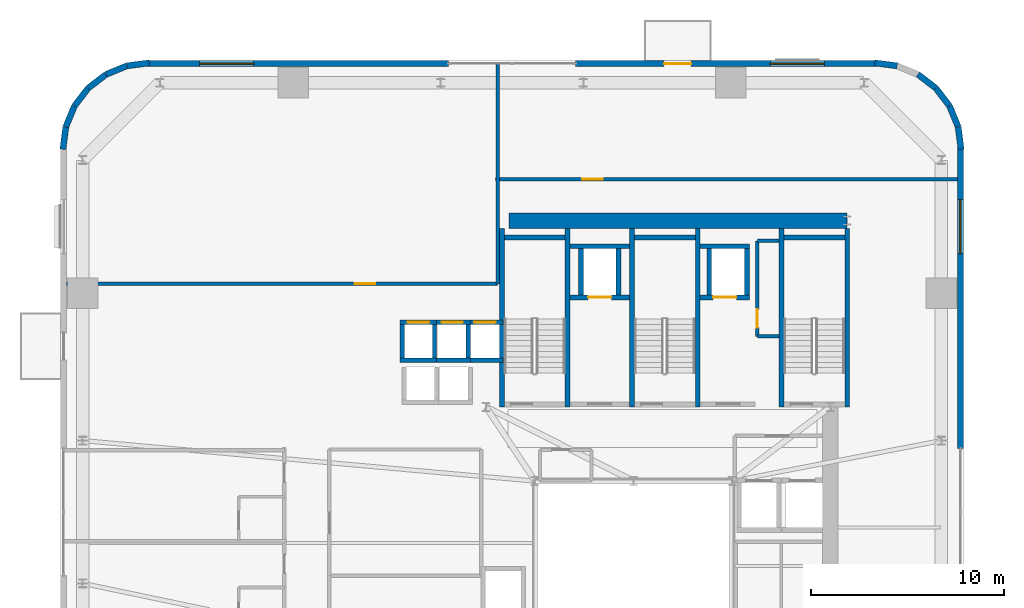
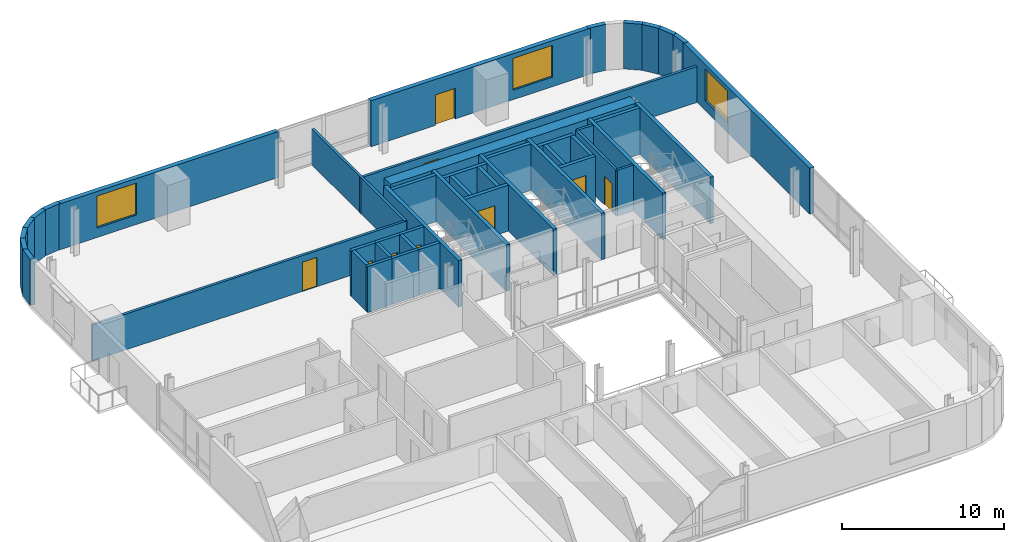
# One storey, part 8 of 14: 47 walls, 9 doors, 3 windows, 12 openings.
"""IFC4 building model written with IfcOpenShell, lengths in metres."""

from ifc_helpers import new_model, si_unit, direction, frame, frame_2d, origin, place, context, subcontext, project, spatial, rectangle, extrude, source, transform, mapped, material, layer, layer_set, type_object, element, fill, save


model = new_model("IFC4")

# Units and contexts
model_context = context("Model", 3, precision=1e-05, world=origin(), true_north=direction((0.0, 1.0)))
body_context = subcontext(model_context, "Body", "Model", "MODEL_VIEW")
ifc_project = project(units=[si_unit("LENGTHUNIT", "METRE"), si_unit("AREAUNIT", "SQUARE_METRE"), si_unit("VOLUMEUNIT", "CUBIC_METRE"), si_unit("PLANEANGLEUNIT", "RADIAN"), si_unit("MASSUNIT", "GRAM", prefix="KILO")], contexts=[model_context])

# Site, building, storey
site_placement = place(None, origin())
site = spatial("IfcSite", under=ifc_project, at=site_placement, CompositionType="ELEMENT")
building_placement = place(site_placement, origin())
building = spatial("IfcBuilding", under=site, at=building_placement, Name="Vardaveli Station Tower", CompositionType="ELEMENT")
storey_placement = place(building_placement, frame((0.0, 0.0, 133.5)))
storey = spatial("IfcBuildingStorey", under=building, at=storey_placement, Name="L34", CompositionType="ELEMENT", Elevation=133.5)

# Wall
ifc_material_1 = material(Name="Concrete C50/60", Category="concrete")
ifc_layer_1 = layer(ifc_material_1, 0.800048828125, Name="Concrete C50/60")
ifc_layer_set_1 = layer_set([ifc_layer_1], Name="Concrete C50/60")
wall_type_1 = type_object("IfcWallType", Name="WAL-CORE-800", PredefinedType="SHEAR", material=ifc_layer_set_1)
shared_shape_1 = source(origin(), body_context, "Body", "SweptSolid", [
    extrude(rectangle(XDim=17.52001953125, YDim=0.800048828125, at=frame_2d((8.760009765625, 0.0))), origin(), (0.0, 0.0, 1.0), 3.4599609375),
])
wall_1_placement = place(storey_placement, frame((29.85009765625, 40.300048828125, 0.0), z_axis=(0.0, 0.0, 1.0), x_axis=(1.0, 0.0, 0.0)))
element("IfcWall", 1, at=wall_1_placement, inside=storey, type_object=wall_type_1, Name="SW-L34-NORTH", PredefinedType="SHEAR", context=body_context, shape_type="MappedRepresentation", body=[
    mapped(shared_shape_1, transform((0.0, 0.0, 0.0), scale=1.0)),
])

# Wall, openings, door, window
ifc_material_2 = material(Name="Precast concrete C45/55", Category="concrete")
ifc_layer_2 = layer(ifc_material_2, 0.320068359375, Name="Precast concrete C45/55")
ifc_layer_set_2 = layer_set([ifc_layer_2], Name="Precast concrete C45/55")
wall_type_2 = type_object("IfcWallType", Name="WAL-EXT-STONE-320", PredefinedType="SOLIDWALL", material=ifc_layer_set_2)
shared_shape_2 = source(origin(), body_context, "Body", "SweptSolid", [
    extrude(rectangle(XDim=15.599853515625, YDim=0.320068359375, at=frame_2d((7.7998046875, 0.0))), origin(), (0.0, 0.0, 1.0), 3.4599609375),
])
wall_2_placement = place(storey_placement, frame((48.89990234375, 48.43994140625, 0.0), z_axis=(0.0, 0.0, 1.0), x_axis=(-1.0, 0.0, 0.0)))
wall_2 = element("IfcWall", 2, at=wall_2_placement, inside=storey, type_object=wall_type_2, Name="EW-L34-N1", PredefinedType="SOLIDWALL", context=body_context, shape_type="MappedRepresentation", body=[
    mapped(shared_shape_2, transform((0.0, 0.0, 0.0), scale=1.0)),
])
shared_shape_3 = source(origin(), body_context, "Body", "SweptSolid", [
    extrude(rectangle(XDim=1.39990234375, YDim=2.300048828125, at=frame_2d((0.699951171875, 1.14990234375))), frame((0.0, 0.169921875, 0.0), z_axis=(0.0, -1.0, 0.0), x_axis=(1.0, 0.0, 0.0)), (0.0, 0.0, 1.0), 0.340087890625),
])
opening_1_placement = place(wall_2_placement, frame((9.6103515625, 0.0, 0.0)))
opening_1 = element("IfcOpeningElement", 3, at=opening_1_placement, cuts=wall_2, Name="Opening D-09", PredefinedType="OPENING", context=body_context, shape_type="MappedRepresentation", body=[
    mapped(shared_shape_3, transform((0.0, 0.0, 0.0), scale=1.0)),
])
shared_shape_4 = source(origin(), body_context, "Body", "SweptSolid", [
    extrude(rectangle(XDim=2.800048828125, YDim=2.39990234375, at=frame_2d((1.39990234375, 1.199951171875))), frame((0.0, 0.169921875, 0.0), z_axis=(0.0, -1.0, 0.0), x_axis=(1.0, 0.0, 0.0)), (0.0, 0.0, 1.0), 0.340087890625),
])
opening_2_placement = place(wall_2_placement, frame((2.705078125, 0.0, 0.719970703125)))
opening_2 = element("IfcOpeningElement", 4, at=opening_2_placement, cuts=wall_2, Name="Opening W-04", PredefinedType="OPENING", context=body_context, shape_type="MappedRepresentation", body=[
    mapped(shared_shape_4, transform((0.0, 0.0, 0.0), scale=1.0)),
])
ifc_material_3 = material(Name="Thermally broken aluminium glass", Category="aluminium")
door_type_1 = type_object("IfcDoorType", Name="DR-LOG-1400x2300", OperationType="DOUBLE_DOOR_SLIDING", PredefinedType="DOOR", material=ifc_material_3)
shared_shape_5 = source(origin(), body_context, "Body", "SweptSolid", [
    extrude(rectangle(XDim=1.39990234375, YDim=2.300048828125, at=frame_2d((0.699951171875, 1.14990234375))), frame((0.0, 0.02490234375, 0.0), z_axis=(0.0, -1.0, 0.0), x_axis=(1.0, 0.0, 0.0)), (0.0, 0.0, 1.0), 0.050048828125),
])
door_1_placement = place(opening_1_placement, frame((1.39990234375, 0.0, 0.0), z_axis=(0.0, 0.0, 1.0), x_axis=(-1.0, 0.0, 0.0)))
door_1 = element("IfcDoor", 5, at=door_1_placement, inside=storey, type_object=door_type_1, Name="DLG-L34-N", OperationType="DOUBLE_DOOR_SLIDING", OverallHeight=2.300048828125, OverallWidth=1.39990234375, PredefinedType="DOOR", context=body_context, shape_type="MappedRepresentation", body=[
    mapped(shared_shape_5, transform((0.0, 0.0, 0.0), scale=1.0)),
])
fill(opening_1, door_1)
ifc_material_4 = material(Name="Low-E solar-control glass", Category="glass")
window_type = type_object("IfcWindowType", Name="WIN-SUITE-2800x2400", PartitioningType="SINGLE_PANEL", PredefinedType="WINDOW", material=ifc_material_4)
shared_shape_6 = source(origin(), body_context, "Body", "SweptSolid", [
    extrude(rectangle(XDim=2.800048828125, YDim=2.39990234375, at=frame_2d((1.39990234375, 1.199951171875))), frame((0.0, 0.030029296875, 0.0), z_axis=(0.0, -1.0, 0.0), x_axis=(1.0, 0.0, 0.0)), (0.0, 0.0, 1.0), 0.06005859375),
])
window_1_placement = place(opening_2_placement, origin())
window_1 = element("IfcWindow", 6, at=window_1_placement, inside=storey, type_object=window_type, Name="WN-L34-N1", OverallHeight=2.39990234375, OverallWidth=2.800048828125, PartitioningType="SINGLE_PANEL", PredefinedType="WINDOW", context=body_context, shape_type="MappedRepresentation", body=[
    mapped(shared_shape_6, transform((0.0, 0.0, 0.0), scale=1.0)),
])
fill(opening_2, window_1)

# Wall, opening, window
wall_3_placement = place(storey_placement, frame((26.699951171875, 48.43994140625, 0.0), z_axis=(0.0, 0.0, 1.0), x_axis=(-1.0, 0.0, 0.0)))
wall_3 = element("IfcWall", 7, at=wall_3_placement, inside=storey, type_object=wall_type_2, Name="EW-L34-N2", PredefinedType="SOLIDWALL", context=body_context, shape_type="MappedRepresentation", body=[
    mapped(shared_shape_2, transform((0.0, 0.0, 0.0), scale=1.0)),
])
opening_3_placement = place(wall_3_placement, frame((10.094970703125, 0.0, 0.719970703125)))
opening_3 = element("IfcOpeningElement", 8, at=opening_3_placement, cuts=wall_3, Name="Opening W-04", PredefinedType="OPENING", context=body_context, shape_type="MappedRepresentation", body=[
    mapped(shared_shape_4, transform((0.0, 0.0, 0.0), scale=1.0)),
])
window_2_placement = place(opening_3_placement, origin())
window_2 = element("IfcWindow", 9, at=window_2_placement, inside=storey, type_object=window_type, Name="WN-L34-N2", OverallHeight=2.39990234375, OverallWidth=2.800048828125, PartitioningType="SINGLE_PANEL", PredefinedType="WINDOW", context=body_context, shape_type="MappedRepresentation", body=[
    mapped(shared_shape_6, transform((0.0, 0.0, 0.0), scale=1.0)),
])
fill(opening_3, window_2)

shared_shape_7 = source(origin(), body_context, "Body", "SweptSolid", [
    extrude(rectangle(XDim=15.60009765625, YDim=0.320068359375, at=frame_2d((7.800048828125, 0.0))), origin(), (0.0, 0.0, 1.0), 3.4599609375),
])
wall_4_placement = place(storey_placement, frame((53.239990234375, 28.5, 0.0), z_axis=(0.0, 0.0, 1.0), x_axis=(0.0, 1.0, 0.0)))
wall_4 = element("IfcWall", 10, at=wall_4_placement, inside=storey, type_object=wall_type_2, Name="EW-L34-E2", PredefinedType="SOLIDWALL", context=body_context, shape_type="MappedRepresentation", body=[
    mapped(shared_shape_7, transform((0.0, 0.0, 0.0), scale=1.0)),
])
opening_4_placement = place(wall_4_placement, frame((10.094970703125, 0.0, 0.719970703125)))
opening_4 = element("IfcOpeningElement", 11, at=opening_4_placement, cuts=wall_4, Name="Opening W-04", PredefinedType="OPENING", context=body_context, shape_type="MappedRepresentation", body=[
    mapped(shared_shape_4, transform((0.0, 0.0, 0.0), scale=1.0)),
])
window_3_placement = place(opening_4_placement, origin())
window_3 = element("IfcWindow", 12, at=window_3_placement, inside=storey, type_object=window_type, Name="WN-L34-E2", OverallHeight=2.39990234375, OverallWidth=2.800048828125, PartitioningType="SINGLE_PANEL", PredefinedType="WINDOW", context=body_context, shape_type="MappedRepresentation", body=[
    mapped(shared_shape_6, transform((0.0, 0.0, 0.0), scale=1.0)),
])
fill(opening_4, window_3)

# Walls
shared_shape_8 = source(origin(), body_context, "Body", "SweptSolid", [
    extrude(rectangle(XDim=1.1689453125, YDim=0.320068359375, at=frame_2d((0.58447265625, 0.0))), origin(), (0.0, 0.0, 1.0), 3.4599609375),
])
for number, where, z_axis, x_axis, name in (
    (13, (52.679931640625, 46.2412109375, 0.0), (0.0, 0.0, 1.0), (-0.608387696831, 0.793639975269, 0.0), "EW-L34-CR3-3"),
    (14, (8.03125, 47.1689453125, 0.0), (0.0, 0.0, 1.0), (-0.608387696831, -0.793639975269, 0.0), "EW-L34-CR4-4"),
):
    element("IfcWall", number, at=place(storey_placement, frame(where, z_axis=z_axis, x_axis=x_axis)), inside=storey, type_object=wall_type_2, Name=name, PredefinedType="SOLIDWALL", context=body_context, shape_type="MappedRepresentation", body=[
        mapped(shared_shape_8, transform((0.0, 0.0, 0.0), scale=1.0)),
    ])
shared_shape_9 = source(origin(), body_context, "Body", "SweptSolid", [
    extrude(rectangle(XDim=1.168701171875, YDim=0.320068359375, at=frame_2d((0.58447265625, 0.0))), origin(), (0.0, 0.0, 1.0), 3.4599609375),
])
for number, where, z_axis, x_axis, name in (
    (15, (51.96875, 47.1689453125, 0.0), (0.0, 0.0, 1.0), (-0.793663520347, 0.608356981114, 0.0), "EW-L34-CR3-4"),
    (16, (8.958740234375, 47.8798828125, 0.0), (0.0, 0.0, 1.0), (-0.793663520347, -0.608356981114, 0.0), "EW-L34-CR4-3"),
):
    element("IfcWall", number, at=place(storey_placement, frame(where, z_axis=z_axis, x_axis=x_axis)), inside=storey, type_object=wall_type_2, Name=name, PredefinedType="SOLIDWALL", context=body_context, shape_type="MappedRepresentation", body=[
        mapped(shared_shape_9, transform((0.0, 0.0, 0.0), scale=1.0)),
    ])
shared_shape_10 = source(origin(), body_context, "Body", "SweptSolid", [
    extrude(rectangle(XDim=1.17041015625, YDim=0.320068359375, at=frame_2d((0.585205078125, 0.0))), origin(), (0.0, 0.0, 1.0), 3.4599609375),
])
for number, where, z_axis, x_axis, name in (
    (17, (53.275634765625, 43.99951171875, 0.0), (0.0, 0.0, 1.0), (-0.128295670475, 0.991735963317, 0.0), "EW-L34-CR3-1"),
    (18, (49.960205078125, 48.325439453125, 0.0), (0.0, 0.0, 1.0), (-0.991735963317, 0.128295670475, 0.0), "EW-L34-CR3-6"),
    (19, (11.200439453125, 48.4755859375, 0.0), (0.0, 0.0, 1.0), (-0.991735963317, -0.128295670475, 0.0), "EW-L34-CR4-1"),
    (20, (6.87451171875, 45.16015625, 0.0), (0.0, 0.0, 1.0), (-0.128295670475, -0.991735963317, 0.0), "EW-L34-CR4-6"),
):
    element("IfcWall", number, at=place(storey_placement, frame(where, z_axis=z_axis, x_axis=x_axis)), inside=storey, type_object=wall_type_2, Name=name, PredefinedType="SOLIDWALL", context=body_context, shape_type="MappedRepresentation", body=[
        mapped(shared_shape_10, transform((0.0, 0.0, 0.0), scale=1.0)),
    ])
shared_shape_11 = source(origin(), body_context, "Body", "SweptSolid", [
    extrude(rectangle(XDim=1.169189453125, YDim=0.320068359375, at=frame_2d((0.58447265625, 0.0))), origin(), (0.0, 0.0, 1.0), 3.4599609375),
])
for number, where, z_axis, x_axis, name in (
    (21, (53.12548828125, 45.16015625, 0.0), (0.0, 0.0, 1.0), (-0.381054331552, 0.924552646638, 0.0), "EW-L34-CR3-2"),
    (22, (10.039794921875, 48.325439453125, 0.0), (0.0, 0.0, 1.0), (-0.924552646638, -0.381054331552, 0.0), "EW-L34-CR4-2"),
    (23, (7.320068359375, 46.2412109375, 0.0), (0.0, 0.0, 1.0), (-0.381054331552, -0.924552646638, 0.0), "EW-L34-CR4-5"),
):
    element("IfcWall", number, at=place(storey_placement, frame(where, z_axis=z_axis, x_axis=x_axis)), inside=storey, type_object=wall_type_2, Name=name, PredefinedType="SOLIDWALL", context=body_context, shape_type="MappedRepresentation", body=[
        mapped(shared_shape_11, transform((0.0, 0.0, 0.0), scale=1.0)),
    ])
ifc_material_5 = material(Name="Concrete C40/50", Category="concrete")
ifc_layer_3 = layer(ifc_material_5, 0.25, Name="Concrete C40/50")
ifc_layer_set_3 = layer_set([ifc_layer_3], Name="Concrete C40/50")
wall_type_3 = type_object("IfcWallType", Name="WAL-SHAFT-250", PredefinedType="SOLIDWALL", material=ifc_layer_set_3)
shared_shape_12 = source(origin(), body_context, "Body", "SweptSolid", [
    extrude(rectangle(XDim=9.25, YDim=0.25, at=frame_2d((4.625, 0.0))), origin(), (0.0, 0.0, 1.0), 3.5),
])
for number, where, z_axis, x_axis, name in (
    (24, (29.47509765625, 30.64990234375, 0.0), (0.0, 0.0, 1.0), (0.0, 1.0, 0.0), "W-L34-ST-1W"),
    (25, (32.875, 30.64990234375, 0.0), (0.0, 0.0, 1.0), (0.0, 1.0, 0.0), "W-L34-ST-1E"),
    (26, (36.22509765625, 30.64990234375, 0.0), (0.0, 0.0, 1.0), (0.0, 1.0, 0.0), "W-L34-ST-2W"),
    (27, (39.625, 30.64990234375, 0.0), (0.0, 0.0, 1.0), (0.0, 1.0, 0.0), "W-L34-ST-2E"),
    (28, (43.97509765625, 30.64990234375, 0.0), (0.0, 0.0, 1.0), (0.0, 1.0, 0.0), "W-L34-ST-3W"),
    (29, (47.375, 30.64990234375, 0.0), (0.0, 0.0, 1.0), (0.0, 1.0, 0.0), "W-L34-ST-3E"),
):
    element("IfcWall", number, at=place(storey_placement, frame(where, z_axis=z_axis, x_axis=x_axis)), inside=storey, type_object=wall_type_3, Name=name, PredefinedType="SOLIDWALL", context=body_context, shape_type="MappedRepresentation", body=[
        mapped(shared_shape_12, transform((0.0, 0.0, 0.0), scale=1.0)),
    ])
shared_shape_13 = source(origin(), body_context, "Body", "SweptSolid", [
    extrude(rectangle(XDim=3.14990234375, YDim=0.25, at=frame_2d((1.574951171875, 0.0))), origin(), (0.0, 0.0, 1.0), 3.5),
])
for number, where, z_axis, x_axis, name in (
    (30, (29.60009765625, 39.425048828125, 0.0), (0.0, 0.0, 1.0), (1.0, 0.0, 0.0), "W-L34-ST-1N"),
    (31, (36.35009765625, 39.425048828125, 0.0), (0.0, 0.0, 1.0), (1.0, 0.0, 0.0), "W-L34-ST-2N"),
    (32, (44.10009765625, 39.425048828125, 0.0), (0.0, 0.0, 1.0), (1.0, 0.0, 0.0), "W-L34-ST-3N"),
):
    element("IfcWall", number, at=place(storey_placement, frame(where, z_axis=z_axis, x_axis=x_axis)), inside=storey, type_object=wall_type_3, Name=name, PredefinedType="SOLIDWALL", context=body_context, shape_type="MappedRepresentation", body=[
        mapped(shared_shape_13, transform((0.0, 0.0, 0.0), scale=1.0)),
    ])
ifc_layer_4 = layer(ifc_material_5, 0.219970703125, Name="Concrete C40/50")
ifc_layer_set_4 = layer_set([ifc_layer_4], Name="Concrete C40/50")
wall_type_4 = type_object("IfcWallType", Name="WAL-FFLOBBY-220", PredefinedType="SOLIDWALL", material=ifc_layer_set_4)
shared_shape_14 = source(origin(), body_context, "Body", "SweptSolid", [
    extrude(rectangle(XDim=1.889892578125, YDim=0.219970703125, at=frame_2d((0.94482421875, 0.0))), origin(), (0.0, 0.0, 1.0), 3.4599609375),
])
wall_5_placement = place(storey_placement, frame((24.205078125, 33.06494140625, 0.0), z_axis=(0.0, 0.0, 1.0), x_axis=(1.0, 0.0, 0.0)))
element("IfcWall", 33, at=wall_5_placement, inside=storey, type_object=wall_type_4, Name="SHW-HL2-01-L34-S", PredefinedType="SOLIDWALL", context=body_context, shape_type="MappedRepresentation", body=[
    mapped(shared_shape_14, transform((0.0, 0.0, 0.0), scale=1.0)),
])

# Wall, opening, door
wall_6_placement = place(storey_placement, frame((24.205078125, 35.034912109375, 0.0), z_axis=(0.0, 0.0, 1.0), x_axis=(1.0, 0.0, 0.0)))
wall_6 = element("IfcWall", 34, at=wall_6_placement, inside=storey, type_object=wall_type_4, Name="SHW-HL2-01-L34-N", PredefinedType="SOLIDWALL", context=body_context, shape_type="MappedRepresentation", body=[
    mapped(shared_shape_14, transform((0.0, 0.0, 0.0), scale=1.0)),
])
shared_shape_15 = source(origin(), body_context, "Body", "SweptSolid", [
    extrude(rectangle(XDim=1.10009765625, YDim=2.199951171875, at=frame_2d((0.550048828125, 1.10009765625))), frame((0.0, 0.1201171875, 0.0), z_axis=(0.0, -1.0, 0.0), x_axis=(1.0, 0.0, 0.0)), (0.0, 0.0, 1.0), 0.239990234375),
])
opening_5_placement = place(wall_6_placement, frame((0.39501953125, 0.0, 0.0)))
opening_5 = element("IfcOpeningElement", 35, at=opening_5_placement, cuts=wall_6, Name="Opening LD-01", PredefinedType="OPENING", context=body_context, shape_type="MappedRepresentation", body=[
    mapped(shared_shape_15, transform((0.0, 0.0, 0.0), scale=1.0)),
])
ifc_material_6 = material(Name="Brushed stainless steel", Category="steel")
door_type_2 = type_object("IfcDoorType", Name="DR-LD-1100x2200", OperationType="DOUBLE_DOOR_SLIDING", PredefinedType="DOOR", material=ifc_material_6)
shared_shape_16 = source(origin(), body_context, "Body", "SweptSolid", [
    extrude(rectangle(XDim=1.10009765625, YDim=2.199951171875, at=frame_2d((0.550048828125, 1.10009765625))), frame((0.0, 0.02490234375, 0.0), z_axis=(0.0, -1.0, 0.0), x_axis=(1.0, 0.0, 0.0)), (0.0, 0.0, 1.0), 0.050048828125),
])
door_2_placement = place(opening_5_placement, origin())
door_2 = element("IfcDoor", 36, at=door_2_placement, inside=storey, type_object=door_type_2, Name="LD-HL2-01-L34", OperationType="DOUBLE_DOOR_SLIDING", OverallHeight=2.199951171875, OverallWidth=1.10009765625, PredefinedType="DOOR", context=body_context, shape_type="MappedRepresentation", body=[
    mapped(shared_shape_16, transform((0.0, 0.0, 0.0), scale=1.0)),
])
fill(opening_5, door_2)

# Wall
wall_7_placement = place(storey_placement, frame((25.955078125, 33.06494140625, 0.0), z_axis=(0.0, 0.0, 1.0), x_axis=(1.0, 0.0, 0.0)))
element("IfcWall", 37, at=wall_7_placement, inside=storey, type_object=wall_type_4, Name="SHW-HL2-02-L34-S", PredefinedType="SOLIDWALL", context=body_context, shape_type="MappedRepresentation", body=[
    mapped(shared_shape_14, transform((0.0, 0.0, 0.0), scale=1.0)),
])

# Wall, opening, door
wall_8_placement = place(storey_placement, frame((25.955078125, 35.034912109375, 0.0), z_axis=(0.0, 0.0, 1.0), x_axis=(1.0, 0.0, 0.0)))
wall_8 = element("IfcWall", 38, at=wall_8_placement, inside=storey, type_object=wall_type_4, Name="SHW-HL2-02-L34-N", PredefinedType="SOLIDWALL", context=body_context, shape_type="MappedRepresentation", body=[
    mapped(shared_shape_14, transform((0.0, 0.0, 0.0), scale=1.0)),
])
opening_6_placement = place(wall_8_placement, frame((0.39501953125, 0.0, 0.0)))
opening_6 = element("IfcOpeningElement", 39, at=opening_6_placement, cuts=wall_8, Name="Opening LD-01", PredefinedType="OPENING", context=body_context, shape_type="MappedRepresentation", body=[
    mapped(shared_shape_15, transform((0.0, 0.0, 0.0), scale=1.0)),
])
door_3_placement = place(opening_6_placement, origin())
door_3 = element("IfcDoor", 40, at=door_3_placement, inside=storey, type_object=door_type_2, Name="LD-HL2-02-L34", OperationType="DOUBLE_DOOR_SLIDING", OverallHeight=2.199951171875, OverallWidth=1.10009765625, PredefinedType="DOOR", context=body_context, shape_type="MappedRepresentation", body=[
    mapped(shared_shape_16, transform((0.0, 0.0, 0.0), scale=1.0)),
])
fill(opening_6, door_3)

# Wall
wall_9_placement = place(storey_placement, frame((27.655029296875, 33.06494140625, 0.0), z_axis=(0.0, 0.0, 1.0), x_axis=(1.0, 0.0, 0.0)))
element("IfcWall", 41, at=wall_9_placement, inside=storey, type_object=wall_type_4, Name="SHW-HL2-03-L34-S", PredefinedType="SOLIDWALL", context=body_context, shape_type="MappedRepresentation", body=[
    mapped(shared_shape_14, transform((0.0, 0.0, 0.0), scale=1.0)),
])

# Wall, opening, door
wall_10_placement = place(storey_placement, frame((27.655029296875, 35.034912109375, 0.0), z_axis=(0.0, 0.0, 1.0), x_axis=(1.0, 0.0, 0.0)))
wall_10 = element("IfcWall", 42, at=wall_10_placement, inside=storey, type_object=wall_type_4, Name="SHW-HL2-03-L34-N", PredefinedType="SOLIDWALL", context=body_context, shape_type="MappedRepresentation", body=[
    mapped(shared_shape_14, transform((0.0, 0.0, 0.0), scale=1.0)),
])
opening_7_placement = place(wall_10_placement, frame((0.39501953125, 0.0, 0.0)))
opening_7 = element("IfcOpeningElement", 43, at=opening_7_placement, cuts=wall_10, Name="Opening LD-01", PredefinedType="OPENING", context=body_context, shape_type="MappedRepresentation", body=[
    mapped(shared_shape_15, transform((0.0, 0.0, 0.0), scale=1.0)),
])
door_4_placement = place(opening_7_placement, origin())
door_4 = element("IfcDoor", 44, at=door_4_placement, inside=storey, type_object=door_type_2, Name="LD-HL2-03-L34", OperationType="DOUBLE_DOOR_SLIDING", OverallHeight=2.199951171875, OverallWidth=1.10009765625, PredefinedType="DOOR", context=body_context, shape_type="MappedRepresentation", body=[
    mapped(shared_shape_16, transform((0.0, 0.0, 0.0), scale=1.0)),
])
fill(opening_7, door_4)

# Walls
shared_shape_17 = source(origin(), body_context, "Body", "SweptSolid", [
    extrude(rectangle(XDim=1.75, YDim=0.219970703125, at=frame_2d((0.875, 0.0))), origin(), (0.0, 0.0, 1.0), 3.4599609375),
])
for number, where, z_axis, x_axis, name in (
    (45, (24.31494140625, 33.175048828125, 0.0), (0.0, 0.0, 1.0), (0.0, 1.0, 0.0), "SHW-HL2-01-L34-W"),
    (46, (25.985107421875, 33.175048828125, 0.0), (0.0, 0.0, 1.0), (0.0, 1.0, 0.0), "SHW-HL2-01-L34-E"),
    (47, (27.735107421875, 33.175048828125, 0.0), (0.0, 0.0, 1.0), (0.0, 1.0, 0.0), "SHW-HL2-02-L34-E"),
):
    element("IfcWall", number, at=place(storey_placement, frame(where, z_axis=z_axis, x_axis=x_axis)), inside=storey, type_object=wall_type_4, Name=name, PredefinedType="SOLIDWALL", context=body_context, shape_type="MappedRepresentation", body=[
        mapped(shared_shape_17, transform((0.0, 0.0, 0.0), scale=1.0)),
    ])

# Wall, opening, door
shared_shape_18 = source(origin(), body_context, "Body", "SweptSolid", [
    extrude(rectangle(XDim=3.10009765625, YDim=0.25, at=frame_2d((1.550048828125, 0.0))), origin(), (0.0, 0.0, 1.0), 3.4599609375),
])
wall_11_placement = place(storey_placement, frame((33.0, 36.324951171875, 0.0), z_axis=(0.0, 0.0, 1.0), x_axis=(1.0, 0.0, 0.0)))
wall_11 = element("IfcWall", 48, at=wall_11_placement, inside=storey, type_object=wall_type_3, Name="SHW-FFL-01-L34-S", PredefinedType="SOLIDWALL", context=body_context, shape_type="MappedRepresentation", body=[
    mapped(shared_shape_18, transform((0.0, 0.0, 0.0), scale=1.0)),
])
shared_shape_19 = source(origin(), body_context, "Body", "SweptSolid", [
    extrude(rectangle(XDim=1.199951171875, YDim=2.25, at=frame_2d((0.60009765625, 1.125))), frame((0.0, 0.135009765625, 0.0), z_axis=(0.0, -1.0, 0.0), x_axis=(1.0, 0.0, 0.0)), (0.0, 0.0, 1.0), 0.27001953125),
])
opening_8_placement = place(wall_11_placement, frame((0.949951171875, 0.0, 0.0)))
opening_8 = element("IfcOpeningElement", 49, at=opening_8_placement, cuts=wall_11, Name="Opening LD-02", PredefinedType="OPENING", context=body_context, shape_type="MappedRepresentation", body=[
    mapped(shared_shape_19, transform((0.0, 0.0, 0.0), scale=1.0)),
])
door_type_3 = type_object("IfcDoorType", Name="DR-LD-1200x2250", OperationType="DOUBLE_DOOR_SLIDING", PredefinedType="DOOR", material=ifc_material_6)
shared_shape_20 = source(origin(), body_context, "Body", "SweptSolid", [
    extrude(rectangle(XDim=1.199951171875, YDim=2.25, at=frame_2d((0.60009765625, 1.125))), frame((0.0, 0.02490234375, 0.0), z_axis=(0.0, -1.0, 0.0), x_axis=(1.0, 0.0, 0.0)), (0.0, 0.0, 1.0), 0.050048828125),
])
door_5_placement = place(opening_8_placement, origin())
door_5 = element("IfcDoor", 50, at=door_5_placement, inside=storey, type_object=door_type_3, Name="LD-FFL-01-L34", OperationType="DOUBLE_DOOR_SLIDING", OverallHeight=2.25, OverallWidth=1.199951171875, PredefinedType="DOOR", context=body_context, shape_type="MappedRepresentation", body=[
    mapped(shared_shape_20, transform((0.0, 0.0, 0.0), scale=1.0)),
])
fill(opening_8, door_5)

# Walls
wall_12_placement = place(storey_placement, frame((33.0, 38.97509765625, 0.0), z_axis=(0.0, 0.0, 1.0), x_axis=(1.0, 0.0, 0.0)))
element("IfcWall", 51, at=wall_12_placement, inside=storey, type_object=wall_type_3, Name="SHW-FFL-01-L34-N", PredefinedType="SOLIDWALL", context=body_context, shape_type="MappedRepresentation", body=[
    mapped(shared_shape_18, transform((0.0, 0.0, 0.0), scale=1.0)),
])
shared_shape_21 = source(origin(), body_context, "Body", "SweptSolid", [
    extrude(rectangle(XDim=2.400146484375, YDim=0.25, at=frame_2d((1.2001953125, 0.0))), origin(), (0.0, 0.0, 1.0), 3.4599609375),
])
for number, where, z_axis, x_axis, name in (
    (52, (33.574951171875, 36.449951171875, 0.0), (0.0, 0.0, 1.0), (0.0, 1.0, 0.0), "SHW-FFL-01-L34-W"),
    (53, (35.52490234375, 36.449951171875, 0.0), (0.0, 0.0, 1.0), (0.0, 1.0, 0.0), "SHW-FFL-01-L34-E"),
    (54, (40.22509765625, 36.449951171875, 0.0), (0.0, 0.0, 1.0), (0.0, 1.0, 0.0), "SHW-FFL-02-L34-W"),
    (55, (42.175048828125, 36.449951171875, 0.0), (0.0, 0.0, 1.0), (0.0, 1.0, 0.0), "SHW-FFL-02-L34-E"),
):
    element("IfcWall", number, at=place(storey_placement, frame(where, z_axis=z_axis, x_axis=x_axis)), inside=storey, type_object=wall_type_3, Name=name, PredefinedType="SOLIDWALL", context=body_context, shape_type="MappedRepresentation", body=[
        mapped(shared_shape_21, transform((0.0, 0.0, 0.0), scale=1.0)),
    ])

# Wall, opening, door
shared_shape_22 = source(origin(), body_context, "Body", "SweptSolid", [
    extrude(rectangle(XDim=2.550048828125, YDim=0.25, at=frame_2d((1.27490234375, 0.0))), origin(), (0.0, 0.0, 1.0), 3.4599609375),
])
wall_13_placement = place(storey_placement, frame((39.75, 36.324951171875, 0.0), z_axis=(0.0, 0.0, 1.0), x_axis=(1.0, 0.0, 0.0)))
wall_13 = element("IfcWall", 56, at=wall_13_placement, inside=storey, type_object=wall_type_3, Name="SHW-FFL-02-L34-S", PredefinedType="SOLIDWALL", context=body_context, shape_type="MappedRepresentation", body=[
    mapped(shared_shape_22, transform((0.0, 0.0, 0.0), scale=1.0)),
])
opening_9_placement = place(wall_13_placement, frame((0.675048828125, 0.0, 0.0)))
opening_9 = element("IfcOpeningElement", 57, at=opening_9_placement, cuts=wall_13, Name="Opening LD-02", PredefinedType="OPENING", context=body_context, shape_type="MappedRepresentation", body=[
    mapped(shared_shape_19, transform((0.0, 0.0, 0.0), scale=1.0)),
])
door_6_placement = place(opening_9_placement, origin())
door_6 = element("IfcDoor", 58, at=door_6_placement, inside=storey, type_object=door_type_3, Name="LD-FFL-02-L34", OperationType="DOUBLE_DOOR_SLIDING", OverallHeight=2.25, OverallWidth=1.199951171875, PredefinedType="DOOR", context=body_context, shape_type="MappedRepresentation", body=[
    mapped(shared_shape_20, transform((0.0, 0.0, 0.0), scale=1.0)),
])
fill(opening_9, door_6)

# Wall
wall_14_placement = place(storey_placement, frame((39.75, 38.97509765625, 0.0), z_axis=(0.0, 0.0, 1.0), x_axis=(1.0, 0.0, 0.0)))
element("IfcWall", 59, at=wall_14_placement, inside=storey, type_object=wall_type_3, Name="SHW-FFL-02-L34-N", PredefinedType="SOLIDWALL", context=body_context, shape_type="MappedRepresentation", body=[
    mapped(shared_shape_22, transform((0.0, 0.0, 0.0), scale=1.0)),
])

# Wall, opening, door
ifc_material_7 = material(Name="Fire-rated gypsum stud partition")
ifc_layer_5 = layer(ifc_material_7, 0.179931640625, Name="Fire-rated gypsum stud partition")
ifc_layer_set_5 = layer_set([ifc_layer_5], Name="Fire-rated gypsum stud partition")
wall_type_5 = type_object("IfcWallType", Name="WAL-CORR-180", PredefinedType="PARTITIONING", material=ifc_layer_set_5)
shared_shape_23 = source(origin(), body_context, "Body", "SweptSolid", [
    extrude(rectangle(XDim=23.927978515625, YDim=0.179931640625, at=frame_2d((11.9638671875, 0.0))), origin(), (0.0, 0.0, 1.0), 2.701904296875),
])
wall_15_placement = place(storey_placement, frame((29.14990234375, 42.449951171875, 0.0), z_axis=(0.0, 0.0, 1.0), x_axis=(1.0, 0.0, 0.0)))
wall_15 = element("IfcWall", 60, at=wall_15_placement, inside=storey, type_object=wall_type_5, Name="W-L34-NPS", PredefinedType="PARTITIONING", context=body_context, shape_type="MappedRepresentation", body=[
    mapped(shared_shape_23, transform((0.0, 0.0, 0.0), scale=1.0)),
])
shared_shape_24 = source(origin(), body_context, "Body", "SweptSolid", [
    extrude(rectangle(XDim=1.050048828125, YDim=2.199951171875, at=frame_2d((0.52490234375, 1.10009765625))), frame((0.0, 0.10009765625, 0.0), z_axis=(0.0, -1.0, 0.0), x_axis=(1.0, 0.0, 0.0)), (0.0, 0.0, 1.0), 0.199951171875),
])
opening_10_placement = place(wall_15_placement, frame((4.5, 0.0, 0.0)))
opening_10 = element("IfcOpeningElement", 61, at=opening_10_placement, cuts=wall_15, Name="Opening D-05", PredefinedType="OPENING", context=body_context, shape_type="MappedRepresentation", body=[
    mapped(shared_shape_24, transform((0.0, 0.0, 0.0), scale=1.0)),
])
ifc_material_8 = material(Name="Walnut veneer acoustic fire door")
door_type_4 = type_object("IfcDoorType", Name="DR-SUITE-1050x2200", OperationType="NOTDEFINED", PredefinedType="DOOR", material=ifc_material_8)
shared_shape_25 = source(origin(), body_context, "Body", "SweptSolid", [
    extrude(rectangle(XDim=1.050048828125, YDim=2.199951171875, at=frame_2d((0.52490234375, 1.10009765625))), frame((0.0, 0.02490234375, 0.0), z_axis=(0.0, -1.0, 0.0), x_axis=(1.0, 0.0, 0.0)), (0.0, 0.0, 1.0), 0.050048828125),
])
door_7_placement = place(opening_10_placement, origin())
door_7 = element("IfcDoor", 62, at=door_7_placement, inside=storey, type_object=door_type_4, Name="D-L34-NP1", OperationType="SINGLE_SWING_RIGHT", OverallHeight=2.199951171875, OverallWidth=1.050048828125, PredefinedType="DOOR", context=body_context, shape_type="MappedRepresentation", body=[
    mapped(shared_shape_25, transform((0.0, 0.0, 0.0), scale=1.0)),
])
fill(opening_10, door_7)

shared_shape_26 = source(origin(), body_context, "Body", "SweptSolid", [
    extrude(rectangle(XDim=22.327880859375, YDim=0.179931640625, at=frame_2d((11.1640625, 0.0))), origin(), (0.0, 0.0, 1.0), 2.701904296875),
])
wall_16_placement = place(storey_placement, frame((6.922119140625, 37.02001953125, 0.0), z_axis=(0.0, 0.0, 1.0), x_axis=(1.0, 0.0, 0.0)))
wall_16 = element("IfcWall", 63, at=wall_16_placement, inside=storey, type_object=wall_type_5, Name="W-L34-CNWS", PredefinedType="PARTITIONING", context=body_context, shape_type="MappedRepresentation", body=[
    mapped(shared_shape_26, transform((0.0, 0.0, 0.0), scale=1.0)),
])
opening_11_placement = place(wall_16_placement, frame((14.927978515625, 0.0, 0.0)))
opening_11 = element("IfcOpeningElement", 64, at=opening_11_placement, cuts=wall_16, Name="Opening D-05", PredefinedType="OPENING", context=body_context, shape_type="MappedRepresentation", body=[
    mapped(shared_shape_24, transform((0.0, 0.0, 0.0), scale=1.0)),
])
door_8_placement = place(opening_11_placement, origin())
door_8 = element("IfcDoor", 65, at=door_8_placement, inside=storey, type_object=door_type_4, Name="D-L34-GNW1", OperationType="SINGLE_SWING_LEFT", OverallHeight=2.199951171875, OverallWidth=1.050048828125, PredefinedType="DOOR", context=body_context, shape_type="MappedRepresentation", body=[
    mapped(shared_shape_25, transform((0.0, 0.0, 0.0), scale=1.0)),
])
fill(opening_11, door_8)

shared_shape_27 = source(origin(), body_context, "Body", "SweptSolid", [
    extrude(rectangle(XDim=4.949951171875, YDim=0.179931640625, at=frame_2d((2.47509765625, 0.0))), origin(), (0.0, 0.0, 1.0), 3.4599609375),
])
wall_17_placement = place(storey_placement, frame((42.719970703125, 34.300048828125, 0.0), z_axis=(0.0, 0.0, 1.0), x_axis=(0.0, 1.0, 0.0)))
wall_17 = element("IfcWall", 66, at=wall_17_placement, inside=storey, type_object=wall_type_5, Name="W-L34-CBS1-W", PredefinedType="PARTITIONING", context=body_context, shape_type="MappedRepresentation", body=[
    mapped(shared_shape_27, transform((0.0, 0.0, 0.0), scale=1.0)),
])
shared_shape_28 = source(origin(), body_context, "Body", "SweptSolid", [
    extrude(rectangle(XDim=0.949951171875, YDim=2.14990234375, at=frame_2d((0.47509765625, 1.074951171875))), frame((0.0, 0.10009765625, 0.0), z_axis=(0.0, -1.0, 0.0), x_axis=(1.0, 0.0, 0.0)), (0.0, 0.0, 1.0), 0.199951171875),
])
opening_12_placement = place(wall_17_placement, frame((0.449951171875, 0.0, 0.0)))
opening_12 = element("IfcOpeningElement", 67, at=opening_12_placement, cuts=wall_17, Name="Opening D-06", PredefinedType="OPENING", context=body_context, shape_type="MappedRepresentation", body=[
    mapped(shared_shape_28, transform((0.0, 0.0, 0.0), scale=1.0)),
])
ifc_material_9 = material(Name="Oak veneer acoustic fire door")
door_type_5 = type_object("IfcDoorType", Name="DR-GUEST-950x2150", OperationType="NOTDEFINED", PredefinedType="DOOR", material=ifc_material_9)
shared_shape_29 = source(origin(), body_context, "Body", "SweptSolid", [
    extrude(rectangle(XDim=0.949951171875, YDim=2.14990234375, at=frame_2d((0.47509765625, 1.074951171875))), frame((0.0, 0.02490234375, 0.0), z_axis=(0.0, -1.0, 0.0), x_axis=(1.0, 0.0, 0.0)), (0.0, 0.0, 1.0), 0.050048828125),
])
door_9_placement = place(opening_12_placement, origin())
door_9 = element("IfcDoor", 68, at=door_9_placement, inside=storey, type_object=door_type_5, Name="D-L34-HKP", OperationType="SINGLE_SWING_LEFT", OverallHeight=2.14990234375, OverallWidth=0.949951171875, PredefinedType="DOOR", context=body_context, shape_type="MappedRepresentation", body=[
    mapped(shared_shape_29, transform((0.0, 0.0, 0.0), scale=1.0)),
])
fill(opening_12, door_9)

# Walls
shared_shape_30 = source(origin(), body_context, "Body", "SweptSolid", [
    extrude(rectangle(XDim=11.449951171875, YDim=0.179931640625, at=frame_2d((5.72509765625, 0.0))), origin(), (0.0, 0.0, 1.0), 2.701904296875),
])
wall_18_placement = place(storey_placement, frame((29.25, 37.02001953125, 0.0), z_axis=(0.0, 0.0, 1.0), x_axis=(0.0, 1.0, 0.0)))
element("IfcWall", 69, at=wall_18_placement, inside=storey, type_object=wall_type_5, Name="W-L34-CNWE", PredefinedType="PARTITIONING", context=body_context, shape_type="MappedRepresentation", body=[
    mapped(shared_shape_30, transform((0.0, 0.0, 0.0), scale=1.0)),
])
shared_shape_31 = source(origin(), body_context, "Body", "SweptSolid", [
    extrude(rectangle(XDim=1.1279296875, YDim=0.179931640625, at=frame_2d((0.56396484375, 0.0))), origin(), (0.0, 0.0, 1.0), 3.4599609375),
])
for number, where, z_axis, x_axis, name in (
    (70, (42.719970703125, 34.300048828125, 0.0), (0.0, 0.0, 1.0), (1.0, 0.0, 0.0), "W-L34-CBS1-S"),
    (71, (42.719970703125, 39.25, 0.0), (0.0, 0.0, 1.0), (1.0, 0.0, 0.0), "W-L34-CBS1-N"),
):
    element("IfcWall", number, at=place(storey_placement, frame(where, z_axis=z_axis, x_axis=x_axis)), inside=storey, type_object=wall_type_5, Name=name, PredefinedType="PARTITIONING", context=body_context, shape_type="MappedRepresentation", body=[
        mapped(shared_shape_31, transform((0.0, 0.0, 0.0), scale=1.0)),
    ])

save(model, "model.ifc")
